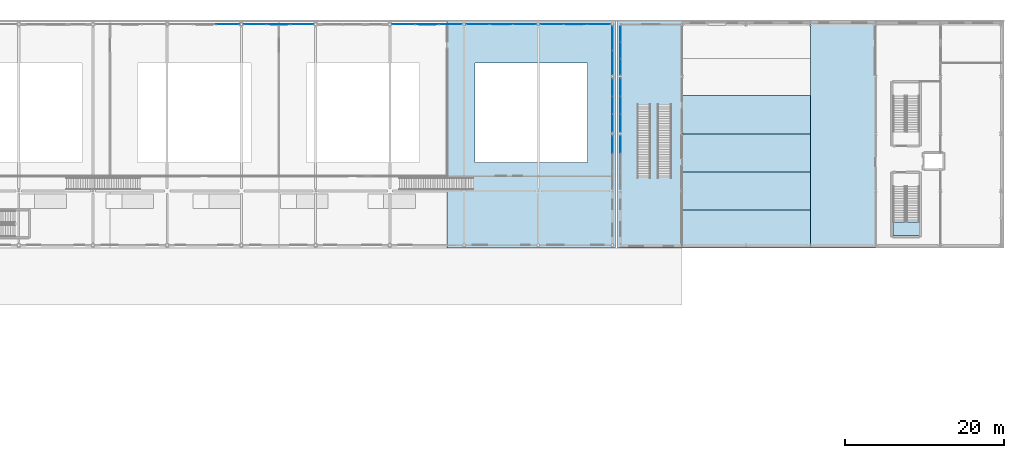
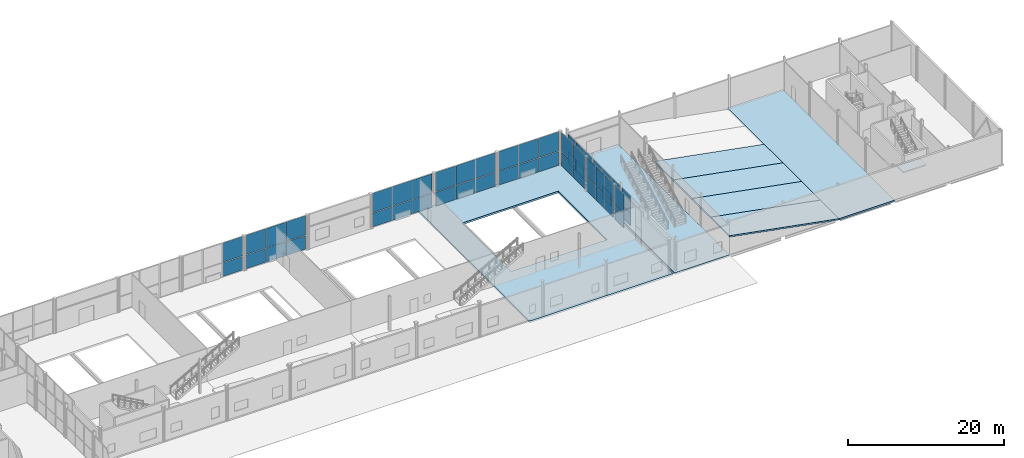
# One storey, part 58 of 83: 52 plates, 8 slabs, 12 elements without a shape of their own.
"""IFC4 building model written with IfcOpenShell, lengths in metres."""

import ifcopenshell
import ifcopenshell.guid

model = None  # the IFC model being written
_history = None  # IfcOwnerHistory: only IFC2X3 demands one
_inside = {}  # id of a spatial element -> (the spatial element, [elements in it])
_under = {}  # id of a project, library or spatial element -> (it, [spatial elements below it])
_declared = {}  # id of a project -> (the project, [libraries it declares])
_typed = {}  # id of a type object -> (the type object, [elements of that type])
_made_of = {}  # id of a material, layer set ... -> (it, [elements and type objects made of it])


def new_model(schema):
    """Start an empty IFC model of exactly this schema.

    Asked for "IFC4X3", IfcOpenShell would pick the latest addendum, in which some entities
    have other attributes; the version numbers below select the first issue.
    IFC2X3 requires an IfcOwnerHistory on every rooted entity: one is made here for all.
    """
    global model, _history
    if schema == "IFC4X3":
        model = ifcopenshell.file(schema_version=(4, 3, 0, 0))
    else:
        model = ifcopenshell.file(schema=schema)
    _inside.clear()
    _under.clear()
    _declared.clear()
    _typed.clear()
    _made_of.clear()
    _history = None
    if model.schema == "IFC2X3":
        org = make("IfcOrganization", Name="unknown")
        user = make(
            "IfcPersonAndOrganization",
            ThePerson=make("IfcPerson", FamilyName="unknown"),
            TheOrganization=org,
        )
        app = make(
            "IfcApplication",
            ApplicationDeveloper=org,
            Version="unknown",
            ApplicationFullName="unknown",
            ApplicationIdentifier="unknown",
        )
        _history = make(
            "IfcOwnerHistory",
            OwningUser=user,
            OwningApplication=app,
            ChangeAction="ADDED",
            CreationDate=0,
        )
    return model


def make(cls, **values):
    """One entity of the class cls with the attributes given. An attribute that is None is left unset."""
    return model.create_entity(
        cls, **{name: value for name, value in values.items() if value is not None}
    )


def rooted(cls, **values):
    """An entity with a GlobalId (a new one), such as an element, a storey or a relation."""
    return make(cls, GlobalId=ifcopenshell.guid.new(), OwnerHistory=_history, **values)


def si_unit(unit_type, name, prefix=None):
    """IfcSIUnit, for example si_unit("LENGTHUNIT", "METRE", prefix="MILLI")."""
    return make("IfcSIUnit", UnitType=unit_type, Prefix=prefix, Name=name)


def assignment(units):
    """IfcUnitAssignment: the units of a project."""
    return None if units is None else make("IfcUnitAssignment", Units=units)


def point(xyz):
    """IfcCartesianPoint."""
    return None if xyz is None else make("IfcCartesianPoint", Coordinates=xyz)


def direction(xyz):
    """IfcDirection."""
    return None if xyz is None else make("IfcDirection", DirectionRatios=xyz)


def frame(location, z_axis=None, x_axis=None):
    """IfcAxis2Placement3D, a coordinate frame: its origin and axes. An axis left out is left unset."""
    return make(
        "IfcAxis2Placement3D",
        Location=point(location),
        Axis=direction(z_axis),
        RefDirection=direction(x_axis),
    )


def frame_2d(location, x_axis=None):
    """IfcAxis2Placement2D, a coordinate frame in the plane: its origin and x axis."""
    return make(
        "IfcAxis2Placement2D", Location=point(location), RefDirection=direction(x_axis)
    )


def origin():
    """The frame at (0, 0, 0) with its axes left unset."""
    return frame((0.0, 0.0, 0.0))


def origin_2d():
    """The frame at (0, 0) in the plane with its x axis left unset."""
    return frame_2d((0.0, 0.0))


def place(relative_to, where):
    """IfcLocalPlacement: puts the frame where relative to a parent placement (None: the world)."""
    return make(
        "IfcLocalPlacement", PlacementRelTo=relative_to, RelativePlacement=where
    )


def context(
    kind, dimensions, precision=None, world=None, true_north=None, identifier=None
):
    """IfcGeometricRepresentationContext, for example the 3D "Model" context."""
    return make(
        "IfcGeometricRepresentationContext",
        ContextIdentifier=identifier,
        ContextType=kind,
        CoordinateSpaceDimension=dimensions,
        Precision=precision,
        WorldCoordinateSystem=world,
        TrueNorth=true_north,
    )


def subcontext(parent, identifier, kind, view, scale=None):
    """IfcGeometricRepresentationSubContext, for example "Body" below "Model"."""
    return make(
        "IfcGeometricRepresentationSubContext",
        ContextIdentifier=identifier,
        ContextType=kind,
        ParentContext=parent,
        TargetScale=scale,
        TargetView=view,
    )


def project(units=None, contexts=None):
    """IfcProject with its units and contexts."""
    return rooted(
        "IfcProject",
        Name="project",
        RepresentationContexts=contexts,
        UnitsInContext=assignment(units),
    )


def spatial(cls, under=None, at=None, **own):
    """A site, building, storey or space (cls), placed at a placement, below another one or the project."""
    s = rooted(cls, ObjectPlacement=at, **own)
    if under is not None:
        _under.setdefault(under.id(), (under, []))[1].append(s)
    return s


def polyline(points):
    """IfcPolyline through the points."""
    return make("IfcPolyline", Points=[point(p) for p in points])


def profile(cls, at=None, kind="AREA", **sizes):
    """A parametric profile (cls). Its sizes go by their IFC names, for example OverallWidth=200.0."""
    return make(cls, ProfileType=kind, Position=at, **sizes)


def rectangle(**sizes):
    """IfcRectangleProfileDef."""
    return profile("IfcRectangleProfileDef", **sizes)


def outline(outer, holes=None, kind="AREA"):
    """IfcArbitraryClosedProfileDef: a profile drawn as a closed curve; with holes, ...WithVoids."""
    if holes is None:
        return make("IfcArbitraryClosedProfileDef", ProfileType=kind, OuterCurve=outer)
    return make(
        "IfcArbitraryProfileDefWithVoids",
        ProfileType=kind,
        OuterCurve=outer,
        InnerCurves=holes,
    )


def extrude(swept, where, along, depth):
    """IfcExtrudedAreaSolid: the profile swept, set in the frame where, extruded along a direction by depth."""
    return make(
        "IfcExtrudedAreaSolid",
        SweptArea=swept,
        Position=where,
        ExtrudedDirection=direction(along),
        Depth=depth,
    )


def shape(context_of_items, identifier, shape_type, items):
    """IfcShapeRepresentation: the items that make up one representation, for example the "Body"."""
    return make(
        "IfcShapeRepresentation",
        ContextOfItems=context_of_items,
        RepresentationIdentifier=identifier,
        RepresentationType=shape_type,
        Items=items,
    )


def material(Name=None, Category=None):
    """IfcMaterial."""
    return make("IfcMaterial", Name=Name, Category=Category)


def layer(
    of_material, thickness, ventilated=None, Name=None, Category=None, Priority=None
):
    """IfcMaterialLayer: one layer of a wall or slab, of a material (None: an air gap)."""
    return make(
        "IfcMaterialLayer",
        Material=of_material,
        LayerThickness=thickness,
        IsVentilated=ventilated,
        Name=Name,
        Category=Category,
        Priority=Priority,
    )


def layer_set(layers, Name=None):
    """IfcMaterialLayerSet."""
    return make("IfcMaterialLayerSet", MaterialLayers=layers, LayerSetName=Name)


def made_of(thing, what):
    """Note that an element or type object is made of a material, layer set ...; save() writes the relation."""
    if what is not None:
        _made_of.setdefault(what.id(), (what, []))[1].append(thing)
    return thing


def type_object(cls, material=None, **own):
    """A type object (cls), such as IfcWallType, which elements share."""
    return made_of(rooted(cls, **own), material)


def element(
    cls,
    number,
    at=None,
    inside=None,
    cuts=None,
    type_object=None,
    material=None,
    context=None,
    identifier="Body",
    shape_type=None,
    held_by="IfcProductDefinitionShape",
    body=None,
    shapes=None,
    **own,
):
    """One element of the class cls, such as IfcWall. Its Tag is "e" and its number.

    at: its placement. inside: the storey or other place that contains it. cuts: it is an
    opening in that element (IfcRelVoidsElement). A single representation is given by context,
    identifier, shape_type and body (its items); several are given by shapes. held_by: the class
    of the entity that holds the representations. save() writes the other relations.
    """
    e = rooted(cls, Tag="e%d" % number, ObjectPlacement=at, **own)
    if body is not None:
        shapes = [shape(context, identifier, shape_type, body)]
    if shapes is not None:
        e.Representation = make(held_by, Representations=shapes)
    if inside is not None:
        _inside.setdefault(inside.id(), (inside, []))[1].append(e)
    if cuts is not None:
        rooted(
            "IfcRelVoidsElement", RelatingBuildingElement=cuts, RelatedOpeningElement=e
        )
    if type_object is not None:
        _typed.setdefault(type_object.id(), (type_object, []))[1].append(e)
    return made_of(e, material)


def aggregate(whole, parts):
    """IfcRelAggregates: a whole, such as a stair, and the parts it consists of."""
    return rooted("IfcRelAggregates", RelatingObject=whole, RelatedObjects=parts)


def save(model, path):
    """Write the relations noted so far, then the file.

    IfcRelAggregates (storeys below a building ...), IfcRelContainedInSpatialStructure (elements
    in a storey), IfcRelDefinesByType, IfcRelAssociatesMaterial and IfcRelDeclares: one each for
    every whole, place, type object, material and project.
    """
    for whole, parts in _under.values():
        aggregate(whole, parts)
    for where, things in _inside.values():
        rooted(
            "IfcRelContainedInSpatialStructure",
            RelatedElements=things,
            RelatingStructure=where,
        )
    for kind, things in _typed.values():
        rooted("IfcRelDefinesByType", RelatedObjects=things, RelatingType=kind)
    for what, things in _made_of.values():
        rooted("IfcRelAssociatesMaterial", RelatedObjects=things, RelatingMaterial=what)
    for by, libraries in _declared.values():
        rooted("IfcRelDeclares", RelatingContext=by, RelatedDefinitions=libraries)
    model.write(path)


model = new_model("IFC4")

# Units and contexts
model_context = context("Model", 3, precision=1e-05, world=origin(), true_north=direction((0.0, 1.0)))
body_context = subcontext(model_context, "Body", "Model", "MODEL_VIEW")
ifc_project = project(units=[si_unit("LENGTHUNIT", "METRE"), si_unit("AREAUNIT", "SQUARE_METRE"), si_unit("VOLUMEUNIT", "CUBIC_METRE"), si_unit("PLANEANGLEUNIT", "RADIAN"), si_unit("MASSUNIT", "GRAM", prefix="KILO")], contexts=[model_context])

# Site, building, storey
site_placement = place(None, origin())
site = spatial("IfcSite", under=ifc_project, at=site_placement, CompositionType="ELEMENT")
building_placement = place(site_placement, origin())
building = spatial("IfcBuilding", under=site, at=building_placement, Name="Quillay Park Conservatory", CompositionType="ELEMENT")
storey_placement = place(building_placement, origin())
storey = spatial("IfcBuildingStorey", under=building, at=storey_placement, Name="L00", CompositionType="ELEMENT", Elevation=0.0)

# Slabs
ifc_material_1 = material(Name="Concrete C35/45 (NCh170 Concrete C35/45)", Category="concrete")
ifc_layer_1 = layer(ifc_material_1, 0.219970703125)
ifc_layer_set_1 = layer_set([ifc_layer_1], Name="AUDITORIUM RAKED FLOOR 220 (Concrete C35/45 (NCh170 Concrete C35/45))")
slab_type_1 = type_object("IfcSlabType", Name="AUDITORIUM RAKED FLOOR 220", PredefinedType="USERDEFINED", material=ifc_layer_set_1)
for number, where, z_axis, x_axis, name in (
    (1, (123.60009765625, 85.199951171875, 3.0), (0.182089790818, 0.0, 0.983281906718), (0.983281906718, 0.0, -0.182089790818), "Auditorium Raked Floor Bay 1"),
    (2, (123.60009765625, 90.0, 3.0), (0.182089790818, 0.0, 0.983281906718), (0.983281906718, 0.0, -0.182089790818), "Auditorium Raked Floor Bay 2"),
    (3, (123.60009765625, 94.800048828125, 3.0), (0.182089790818, 0.0, 0.983281906718), (0.983281906718, 0.0, -0.182089790818), "Auditorium Raked Floor Bay 3"),
):
    element("IfcSlab", number, at=place(storey_placement, frame(where, z_axis=z_axis, x_axis=x_axis)), inside=storey, type_object=slab_type_1, Name=name, ObjectType="AUDITORIUM RAKED FLOOR", PredefinedType="USERDEFINED", context=body_context, shape_type="SweptSolid", body=[
        extrude(outline(polyline([(0.0, 0.0), (16.475388249480925, 0.0), (16.475388249480925, 4.800048828125), (0.0, 4.800048828125), (0.0, 0.0)])), origin(), (0.0, 0.0, -1.0), 0.219970703125),
    ])
slab_1_placement = place(storey_placement, frame((123.60009765625, 99.60009765625, 3.0), z_axis=(0.182089790818, 0.0, 0.983281906718), x_axis=(0.983281906718, 0.0, -0.182089790818)))
element("IfcSlab", 4, at=slab_1_placement, inside=storey, type_object=slab_type_1, Name="Auditorium Raked Floor Bay 4", ObjectType="AUDITORIUM RAKED FLOOR", PredefinedType="USERDEFINED", context=body_context, shape_type="SweptSolid", body=[
    extrude(outline(polyline([(0.0, 0.0), (16.475388249480925, 0.0), (16.475388249480925, 4.7998046875), (0.0, 4.7998046875), (0.0, 0.0)])), origin(), (0.0, 0.0, -1.0), 0.219970703125),
])

# Curtain wall, plates
ifc_material_2 = material(Name="Thermally Broken Anodised Aluminium 6063-T6", Category="aluminium")
ifc_layer_2 = layer(ifc_material_2, 0.1650390625)
ifc_layer_set_2 = layer_set([ifc_layer_2], Name="UNITISED CURTAIN WALL PODIUM (Thermally Broken Anodised Aluminium 6063-T6)")
curtain_wall_type_1 = type_object("IfcCurtainWallType", Name="UNITISED CURTAIN WALL PODIUM", PredefinedType="USERDEFINED", material=ifc_layer_set_2)
curtain_wall_1_placement = place(storey_placement, origin())
curtain_wall_1 = element("IfcCurtainWall", 5, at=curtain_wall_1_placement, inside=storey, type_object=curtain_wall_type_1, Name="L00 Unitised Curtain Wall 223", ObjectType="UNITISED CURTAIN WALL", PredefinedType="USERDEFINED")
ifc_material_3 = material(Name="Low-E Double Glazing (Laminated Tempered)", Category="glass")
ifc_layer_3 = layer(ifc_material_3, 0.028076171875)
ifc_layer_set_3 = layer_set([ifc_layer_3], Name="CURTAIN WALL GLAZED PANEL 28 (Low-E Double Glazing (Laminated Tempered))")
plate_type_1 = type_object("IfcPlateType", Name="CURTAIN WALL GLAZED PANEL 28", PredefinedType="CURTAIN_PANEL", material=ifc_layer_set_3)
plate_1_placement = place(storey_placement, frame((115.85009765625, 98.27587890625, 0.06982421875), z_axis=(0.0, 0.0, 1.0), x_axis=(0.0, 1.0, 0.0)))
plate_1 = element("IfcPlate", 6, at=plate_1_placement, type_object=plate_type_1, Name="CW-P1 panel 3.1", PredefinedType="CURTAIN_PANEL", context=body_context, shape_type="SweptSolid", body=[
    extrude(rectangle(XDim=2.188232421875, YDim=0.028076171875, at=origin_2d()), origin(), (0.0, 0.0, 1.0), 1.881103515625),
])
plate_2_placement = place(storey_placement, frame((115.85009765625, 98.27587890625, 2.021240234375), z_axis=(0.0, 0.0, 1.0), x_axis=(0.0, 1.0, 0.0)))
plate_2 = element("IfcPlate", 7, at=plate_2_placement, type_object=plate_type_1, Name="CW-P1 panel 3.2", PredefinedType="CURTAIN_PANEL", context=body_context, shape_type="SweptSolid", body=[
    extrude(rectangle(XDim=2.188232421875, YDim=0.028076171875, at=origin_2d()), origin(), (0.0, 0.0, 1.0), 2.6376953125),
])
aggregate(curtain_wall_1, [plate_1, plate_2])

curtain_wall_2_placement = place(storey_placement, origin())
curtain_wall_2 = element("IfcCurtainWall", 8, at=curtain_wall_2_placement, inside=storey, type_object=curtain_wall_type_1, Name="L00 Unitised Curtain Wall 225", ObjectType="UNITISED CURTAIN WALL", PredefinedType="USERDEFINED")
plate_3_placement = place(storey_placement, frame((115.85009765625, 100.924072265625, 0.06982421875), z_axis=(0.0, 0.0, 1.0), x_axis=(0.0, 1.0, 0.0)))
plate_3 = element("IfcPlate", 9, at=plate_3_placement, type_object=plate_type_1, Name="CW-P1 panel 1.1", PredefinedType="CURTAIN_PANEL", context=body_context, shape_type="SweptSolid", body=[
    extrude(rectangle(XDim=2.188232421875, YDim=0.028076171875, at=origin_2d()), origin(), (0.0, 0.0, 1.0), 1.881103515625),
])
plate_4_placement = place(storey_placement, frame((115.85009765625, 100.924072265625, 2.021240234375), z_axis=(0.0, 0.0, 1.0), x_axis=(0.0, 1.0, 0.0)))
plate_4 = element("IfcPlate", 10, at=plate_4_placement, type_object=plate_type_1, Name="CW-P1 panel 1.2", PredefinedType="CURTAIN_PANEL", context=body_context, shape_type="SweptSolid", body=[
    extrude(rectangle(XDim=2.188232421875, YDim=0.028076171875, at=origin_2d()), origin(), (0.0, 0.0, 1.0), 2.6376953125),
])
plate_5_placement = place(storey_placement, frame((115.85009765625, 103.199951171875, 0.06982421875), z_axis=(0.0, 0.0, 1.0), x_axis=(0.0, 1.0, 0.0)))
plate_5 = element("IfcPlate", 11, at=plate_5_placement, type_object=plate_type_1, Name="CW-P1 panel 2.1", PredefinedType="CURTAIN_PANEL", context=body_context, shape_type="SweptSolid", body=[
    extrude(rectangle(XDim=2.223388671875, YDim=0.028076171875, at=origin_2d()), origin(), (0.0, 0.0, 1.0), 1.881103515625),
])
plate_6_placement = place(storey_placement, frame((115.85009765625, 103.199951171875, 2.021240234375), z_axis=(0.0, 0.0, 1.0), x_axis=(0.0, 1.0, 0.0)))
plate_6 = element("IfcPlate", 12, at=plate_6_placement, type_object=plate_type_1, Name="CW-P1 panel 2.2", PredefinedType="CURTAIN_PANEL", context=body_context, shape_type="SweptSolid", body=[
    extrude(rectangle(XDim=2.223388671875, YDim=0.028076171875, at=origin_2d()), origin(), (0.0, 0.0, 1.0), 2.6376953125),
])
plate_7_placement = place(storey_placement, frame((115.85009765625, 105.475830078125, 0.06982421875), z_axis=(0.0, 0.0, 1.0), x_axis=(0.0, 1.0, 0.0)))
plate_7 = element("IfcPlate", 13, at=plate_7_placement, type_object=plate_type_1, Name="CW-P1 panel 3.1", PredefinedType="CURTAIN_PANEL", context=body_context, shape_type="SweptSolid", body=[
    extrude(rectangle(XDim=2.188232421875, YDim=0.028076171875, at=origin_2d()), origin(), (0.0, 0.0, 1.0), 1.881103515625),
])
plate_8_placement = place(storey_placement, frame((115.85009765625, 105.475830078125, 2.021240234375), z_axis=(0.0, 0.0, 1.0), x_axis=(0.0, 1.0, 0.0)))
plate_8 = element("IfcPlate", 14, at=plate_8_placement, type_object=plate_type_1, Name="CW-P1 panel 3.2", PredefinedType="CURTAIN_PANEL", context=body_context, shape_type="SweptSolid", body=[
    extrude(rectangle(XDim=2.188232421875, YDim=0.028076171875, at=origin_2d()), origin(), (0.0, 0.0, 1.0), 2.6376953125),
])
aggregate(curtain_wall_2, [plate_3, plate_4, plate_5, plate_6, plate_7, plate_8])

curtain_wall_3_placement = place(storey_placement, origin())
curtain_wall_3 = element("IfcCurtainWall", 15, at=curtain_wall_3_placement, inside=storey, type_object=curtain_wall_type_1, Name="L00 Unitised Curtain Wall 227", ObjectType="UNITISED CURTAIN WALL", PredefinedType="USERDEFINED")
plate_9_placement = place(storey_placement, frame((115.85009765625, 108.024169921875, 0.06982421875), z_axis=(0.0, 0.0, 1.0), x_axis=(0.0, 1.0, 0.0)))
plate_9 = element("IfcPlate", 16, at=plate_9_placement, type_object=plate_type_1, Name="CW-P1 panel 1.1", PredefinedType="CURTAIN_PANEL", context=body_context, shape_type="SweptSolid", body=[
    extrude(rectangle(XDim=1.98828125, YDim=0.028076171875, at=origin_2d()), origin(), (0.0, 0.0, 1.0), 1.881103515625),
])
plate_10_placement = place(storey_placement, frame((115.85009765625, 108.024169921875, 2.021240234375), z_axis=(0.0, 0.0, 1.0), x_axis=(0.0, 1.0, 0.0)))
plate_10 = element("IfcPlate", 17, at=plate_10_placement, type_object=plate_type_1, Name="CW-P1 panel 1.2", PredefinedType="CURTAIN_PANEL", context=body_context, shape_type="SweptSolid", body=[
    extrude(rectangle(XDim=1.98828125, YDim=0.028076171875, at=origin_2d()), origin(), (0.0, 0.0, 1.0), 2.6376953125),
])
plate_11_placement = place(storey_placement, frame((115.85009765625, 110.10009765625, 0.06982421875), z_axis=(0.0, 0.0, 1.0), x_axis=(0.0, 1.0, 0.0)))
plate_11 = element("IfcPlate", 18, at=plate_11_placement, type_object=plate_type_1, Name="CW-P1 panel 2.1", PredefinedType="CURTAIN_PANEL", context=body_context, shape_type="SweptSolid", body=[
    extrude(rectangle(XDim=2.0234375, YDim=0.028076171875, at=origin_2d()), origin(), (0.0, 0.0, 1.0), 1.881103515625),
])
plate_12_placement = place(storey_placement, frame((115.85009765625, 110.10009765625, 2.021240234375), z_axis=(0.0, 0.0, 1.0), x_axis=(0.0, 1.0, 0.0)))
plate_12 = element("IfcPlate", 19, at=plate_12_placement, type_object=plate_type_1, Name="CW-P1 panel 2.2", PredefinedType="CURTAIN_PANEL", context=body_context, shape_type="SweptSolid", body=[
    extrude(rectangle(XDim=2.0234375, YDim=0.028076171875, at=origin_2d()), origin(), (0.0, 0.0, 1.0), 2.6376953125),
])
plate_13_placement = place(storey_placement, frame((115.85009765625, 112.17578125, 0.06982421875), z_axis=(0.0, 0.0, 1.0), x_axis=(0.0, 1.0, 0.0)))
plate_13 = element("IfcPlate", 20, at=plate_13_placement, type_object=plate_type_1, Name="CW-P1 panel 3.1", PredefinedType="CURTAIN_PANEL", context=body_context, shape_type="SweptSolid", body=[
    extrude(rectangle(XDim=1.98828125, YDim=0.028076171875, at=origin_2d()), origin(), (0.0, 0.0, 1.0), 1.881103515625),
])
plate_14_placement = place(storey_placement, frame((115.85009765625, 112.17578125, 2.021240234375), z_axis=(0.0, 0.0, 1.0), x_axis=(0.0, 1.0, 0.0)))
plate_14 = element("IfcPlate", 21, at=plate_14_placement, type_object=plate_type_1, Name="CW-P1 panel 3.2", PredefinedType="CURTAIN_PANEL", context=body_context, shape_type="SweptSolid", body=[
    extrude(rectangle(XDim=1.98828125, YDim=0.028076171875, at=origin_2d()), origin(), (0.0, 0.0, 1.0), 2.6376953125),
])
aggregate(curtain_wall_3, [plate_9, plate_10, plate_11, plate_12, plate_13, plate_14])

ifc_material_4 = material(Name="Thermally Broken Anodised Aluminium 6063-T6", Category="aluminium")
ifc_layer_4 = layer(ifc_material_4, 0.219970703125)
ifc_layer_set_4 = layer_set([ifc_layer_4], Name="UNITISED CURTAIN WALL CONSERVATORY (Thermally Broken Anodised Aluminium 6063-T6)")
curtain_wall_type_2 = type_object("IfcCurtainWallType", Name="UNITISED CURTAIN WALL CONSERVATORY", PredefinedType="USERDEFINED", material=ifc_layer_set_4)
curtain_wall_4_placement = place(storey_placement, origin())
curtain_wall_4 = element("IfcCurtainWall", 22, at=curtain_wall_4_placement, inside=storey, type_object=curtain_wall_type_2, Name="L00 Unitised Curtain Wall 152", ObjectType="UNITISED CURTAIN WALL", PredefinedType="USERDEFINED")
ifc_material_5 = material(Name="Low-Iron Laminated Insulated Glazing", Category="glass")
ifc_layer_5 = layer(ifc_material_5, 0.031982421875)
ifc_layer_set_5 = layer_set([ifc_layer_5], Name="CURTAIN WALL GLAZED PANEL 32 (Low-Iron Laminated Insulated Glazing)")
plate_type_2 = type_object("IfcPlateType", Name="CURTAIN WALL GLAZED PANEL 32", PredefinedType="CURTAIN_PANEL", material=ifc_layer_set_5)
plate_15_placement = place(storey_placement, frame((66.36083984375, 113.39990234375, 0.070068359375), z_axis=(0.0, 0.0, 1.0), x_axis=(1.0, 0.0, 0.0)))
plate_15 = element("IfcPlate", 23, at=plate_15_placement, type_object=plate_type_2, Name="CW-C1 panel 3.1", PredefinedType="CURTAIN_PANEL", context=body_context, shape_type="SweptSolid", body=[
    extrude(rectangle(XDim=2.87890625, YDim=0.031982421875, at=origin_2d()), origin(), (0.0, 0.0, 1.0), 2.1630859375),
])
plate_16_placement = place(storey_placement, frame((66.36083984375, 113.39990234375, 2.302734375), z_axis=(0.0, 0.0, 1.0), x_axis=(1.0, 0.0, 0.0)))
plate_16 = element("IfcPlate", 24, at=plate_16_placement, type_object=plate_type_2, Name="CW-C1 panel 3.2", PredefinedType="CURTAIN_PANEL", context=body_context, shape_type="SweptSolid", body=[
    extrude(rectangle(XDim=2.87890625, YDim=0.031982421875, at=origin_2d()), origin(), (0.0, 0.0, 1.0), 3.027099609375),
])
aggregate(curtain_wall_4, [plate_15, plate_16])

curtain_wall_5_placement = place(storey_placement, origin())
curtain_wall_5 = element("IfcCurtainWall", 25, at=curtain_wall_5_placement, inside=storey, type_object=curtain_wall_type_2, Name="L00 Unitised Curtain Wall 154", ObjectType="UNITISED CURTAIN WALL", PredefinedType="USERDEFINED")
plate_17_placement = place(storey_placement, frame((69.78369140625, 113.39990234375, 0.070068359375), z_axis=(0.0, 0.0, 1.0), x_axis=(1.0, 0.0, 0.0)))
plate_17 = element("IfcPlate", 26, at=plate_17_placement, type_object=plate_type_2, Name="CW-C1 panel 1.1", PredefinedType="CURTAIN_PANEL", context=body_context, shape_type="SweptSolid", body=[
    extrude(rectangle(XDim=2.87890625, YDim=0.031982421875, at=origin_2d()), origin(), (0.0, 0.0, 1.0), 2.1630859375),
])
plate_18_placement = place(storey_placement, frame((69.78369140625, 113.39990234375, 2.302734375), z_axis=(0.0, 0.0, 1.0), x_axis=(1.0, 0.0, 0.0)))
plate_18 = element("IfcPlate", 27, at=plate_18_placement, type_object=plate_type_2, Name="CW-C1 panel 1.2", PredefinedType="CURTAIN_PANEL", context=body_context, shape_type="SweptSolid", body=[
    extrude(rectangle(XDim=2.87890625, YDim=0.031982421875, at=origin_2d()), origin(), (0.0, 0.0, 1.0), 3.027099609375),
])
plate_19_placement = place(storey_placement, frame((72.75, 113.39990234375, 0.070068359375), z_axis=(0.0, 0.0, 1.0), x_axis=(1.0, 0.0, 0.0)))
plate_19 = element("IfcPlate", 28, at=plate_19_placement, type_object=plate_type_2, Name="CW-C1 panel 2.1", PredefinedType="CURTAIN_PANEL", context=body_context, shape_type="SweptSolid", body=[
    extrude(rectangle(XDim=2.913818359375, YDim=0.031982421875, at=origin_2d()), origin(), (0.0, 0.0, 1.0), 2.1630859375),
])
plate_20_placement = place(storey_placement, frame((72.75, 113.39990234375, 2.302734375), z_axis=(0.0, 0.0, 1.0), x_axis=(1.0, 0.0, 0.0)))
plate_20 = element("IfcPlate", 29, at=plate_20_placement, type_object=plate_type_2, Name="CW-C1 panel 2.2", PredefinedType="CURTAIN_PANEL", context=body_context, shape_type="SweptSolid", body=[
    extrude(rectangle(XDim=2.913818359375, YDim=0.031982421875, at=origin_2d()), origin(), (0.0, 0.0, 1.0), 3.027099609375),
])
plate_21_placement = place(storey_placement, frame((75.71630859375, 113.39990234375, 0.070068359375), z_axis=(0.0, 0.0, 1.0), x_axis=(1.0, 0.0, 0.0)))
plate_21 = element("IfcPlate", 30, at=plate_21_placement, type_object=plate_type_2, Name="CW-C1 panel 3.1", PredefinedType="CURTAIN_PANEL", context=body_context, shape_type="SweptSolid", body=[
    extrude(rectangle(XDim=2.87890625, YDim=0.031982421875, at=origin_2d()), origin(), (0.0, 0.0, 1.0), 2.1630859375),
])
plate_22_placement = place(storey_placement, frame((75.71630859375, 113.39990234375, 2.302734375), z_axis=(0.0, 0.0, 1.0), x_axis=(1.0, 0.0, 0.0)))
plate_22 = element("IfcPlate", 31, at=plate_22_placement, type_object=plate_type_2, Name="CW-C1 panel 3.2", PredefinedType="CURTAIN_PANEL", context=body_context, shape_type="SweptSolid", body=[
    extrude(rectangle(XDim=2.87890625, YDim=0.031982421875, at=origin_2d()), origin(), (0.0, 0.0, 1.0), 3.027099609375),
])
aggregate(curtain_wall_5, [plate_17, plate_18, plate_19, plate_20, plate_21, plate_22])

curtain_wall_6_placement = place(storey_placement, origin())
curtain_wall_6 = element("IfcCurtainWall", 32, at=curtain_wall_6_placement, inside=storey, type_object=curtain_wall_type_2, Name="L00 Unitised Curtain Wall 157", ObjectType="UNITISED CURTAIN WALL", PredefinedType="USERDEFINED")
plate_23_placement = place(storey_placement, frame((88.49462890625, 113.39990234375, 0.070068359375), z_axis=(0.0, 0.0, 1.0), x_axis=(1.0, 0.0, 0.0)))
plate_23 = element("IfcPlate", 33, at=plate_23_placement, type_object=plate_type_2, Name="CW-C1 panel 1.1", PredefinedType="CURTAIN_PANEL", context=body_context, shape_type="SweptSolid", body=[
    extrude(rectangle(XDim=2.87890625, YDim=0.031982421875, at=origin_2d()), origin(), (0.0, 0.0, 1.0), 2.1630859375),
])
plate_24_placement = place(storey_placement, frame((88.49462890625, 113.39990234375, 2.302734375), z_axis=(0.0, 0.0, 1.0), x_axis=(1.0, 0.0, 0.0)))
plate_24 = element("IfcPlate", 34, at=plate_24_placement, type_object=plate_type_2, Name="CW-C1 panel 1.2", PredefinedType="CURTAIN_PANEL", context=body_context, shape_type="SweptSolid", body=[
    extrude(rectangle(XDim=2.87890625, YDim=0.031982421875, at=origin_2d()), origin(), (0.0, 0.0, 1.0), 3.027099609375),
])
plate_25_placement = place(storey_placement, frame((91.461181640625, 113.39990234375, 0.070068359375), z_axis=(0.0, 0.0, 1.0), x_axis=(1.0, 0.0, 0.0)))
plate_25 = element("IfcPlate", 35, at=plate_25_placement, type_object=plate_type_2, Name="CW-C1 panel 2.1", PredefinedType="CURTAIN_PANEL", context=body_context, shape_type="SweptSolid", body=[
    extrude(rectangle(XDim=2.913818359375, YDim=0.031982421875, at=origin_2d()), origin(), (0.0, 0.0, 1.0), 2.1630859375),
])
plate_26_placement = place(storey_placement, frame((91.461181640625, 113.39990234375, 2.302734375), z_axis=(0.0, 0.0, 1.0), x_axis=(1.0, 0.0, 0.0)))
plate_26 = element("IfcPlate", 36, at=plate_26_placement, type_object=plate_type_2, Name="CW-C1 panel 2.2", PredefinedType="CURTAIN_PANEL", context=body_context, shape_type="SweptSolid", body=[
    extrude(rectangle(XDim=2.913818359375, YDim=0.031982421875, at=origin_2d()), origin(), (0.0, 0.0, 1.0), 3.027099609375),
])
plate_27_placement = place(storey_placement, frame((94.427490234375, 113.39990234375, 0.070068359375), z_axis=(0.0, 0.0, 1.0), x_axis=(1.0, 0.0, 0.0)))
plate_27 = element("IfcPlate", 37, at=plate_27_placement, type_object=plate_type_2, Name="CW-C1 panel 3.1", PredefinedType="CURTAIN_PANEL", context=body_context, shape_type="SweptSolid", body=[
    extrude(rectangle(XDim=2.87890625, YDim=0.031982421875, at=origin_2d()), origin(), (0.0, 0.0, 1.0), 2.1630859375),
])
plate_28_placement = place(storey_placement, frame((94.427490234375, 113.39990234375, 2.302734375), z_axis=(0.0, 0.0, 1.0), x_axis=(1.0, 0.0, 0.0)))
plate_28 = element("IfcPlate", 38, at=plate_28_placement, type_object=plate_type_2, Name="CW-C1 panel 3.2", PredefinedType="CURTAIN_PANEL", context=body_context, shape_type="SweptSolid", body=[
    extrude(rectangle(XDim=2.87890625, YDim=0.031982421875, at=origin_2d()), origin(), (0.0, 0.0, 1.0), 3.027099609375),
])
aggregate(curtain_wall_6, [plate_23, plate_24, plate_25, plate_26, plate_27, plate_28])

curtain_wall_7_placement = place(storey_placement, origin())
curtain_wall_7 = element("IfcCurtainWall", 39, at=curtain_wall_7_placement, inside=storey, type_object=curtain_wall_type_2, Name="L00 Unitised Curtain Wall 159", ObjectType="UNITISED CURTAIN WALL", PredefinedType="USERDEFINED")
plate_29_placement = place(storey_placement, frame((97.850341796875, 113.39990234375, 0.070068359375), z_axis=(0.0, 0.0, 1.0), x_axis=(1.0, 0.0, 0.0)))
plate_29 = element("IfcPlate", 40, at=plate_29_placement, type_object=plate_type_2, Name="CW-C1 panel 1.1", PredefinedType="CURTAIN_PANEL", context=body_context, shape_type="SweptSolid", body=[
    extrude(rectangle(XDim=2.87890625, YDim=0.031982421875, at=origin_2d()), origin(), (0.0, 0.0, 1.0), 2.1630859375),
])
plate_30_placement = place(storey_placement, frame((97.850341796875, 113.39990234375, 2.302734375), z_axis=(0.0, 0.0, 1.0), x_axis=(1.0, 0.0, 0.0)))
plate_30 = element("IfcPlate", 41, at=plate_30_placement, type_object=plate_type_2, Name="CW-C1 panel 1.2", PredefinedType="CURTAIN_PANEL", context=body_context, shape_type="SweptSolid", body=[
    extrude(rectangle(XDim=2.87890625, YDim=0.031982421875, at=origin_2d()), origin(), (0.0, 0.0, 1.0), 3.027099609375),
])
plate_31_placement = place(storey_placement, frame((100.816650390625, 113.39990234375, 0.070068359375), z_axis=(0.0, 0.0, 1.0), x_axis=(1.0, 0.0, 0.0)))
plate_31 = element("IfcPlate", 42, at=plate_31_placement, type_object=plate_type_2, Name="CW-C1 panel 2.1", PredefinedType="CURTAIN_PANEL", context=body_context, shape_type="SweptSolid", body=[
    extrude(rectangle(XDim=2.913818359375, YDim=0.031982421875, at=origin_2d()), origin(), (0.0, 0.0, 1.0), 2.1630859375),
])
plate_32_placement = place(storey_placement, frame((100.816650390625, 113.39990234375, 2.302734375), z_axis=(0.0, 0.0, 1.0), x_axis=(1.0, 0.0, 0.0)))
plate_32 = element("IfcPlate", 43, at=plate_32_placement, type_object=plate_type_2, Name="CW-C1 panel 2.2", PredefinedType="CURTAIN_PANEL", context=body_context, shape_type="SweptSolid", body=[
    extrude(rectangle(XDim=2.913818359375, YDim=0.031982421875, at=origin_2d()), origin(), (0.0, 0.0, 1.0), 3.027099609375),
])
plate_33_placement = place(storey_placement, frame((103.782958984375, 113.39990234375, 0.070068359375), z_axis=(0.0, 0.0, 1.0), x_axis=(1.0, 0.0, 0.0)))
plate_33 = element("IfcPlate", 44, at=plate_33_placement, type_object=plate_type_2, Name="CW-C1 panel 3.1", PredefinedType="CURTAIN_PANEL", context=body_context, shape_type="SweptSolid", body=[
    extrude(rectangle(XDim=2.87890625, YDim=0.031982421875, at=origin_2d()), origin(), (0.0, 0.0, 1.0), 2.1630859375),
])
plate_34_placement = place(storey_placement, frame((103.782958984375, 113.39990234375, 2.302734375), z_axis=(0.0, 0.0, 1.0), x_axis=(1.0, 0.0, 0.0)))
plate_34 = element("IfcPlate", 45, at=plate_34_placement, type_object=plate_type_2, Name="CW-C1 panel 3.2", PredefinedType="CURTAIN_PANEL", context=body_context, shape_type="SweptSolid", body=[
    extrude(rectangle(XDim=2.87890625, YDim=0.031982421875, at=origin_2d()), origin(), (0.0, 0.0, 1.0), 3.027099609375),
])
aggregate(curtain_wall_7, [plate_29, plate_30, plate_31, plate_32, plate_33, plate_34])

curtain_wall_8_placement = place(storey_placement, origin())
curtain_wall_8 = element("IfcCurtainWall", 46, at=curtain_wall_8_placement, inside=storey, type_object=curtain_wall_type_2, Name="L00 Unitised Curtain Wall 161", ObjectType="UNITISED CURTAIN WALL", PredefinedType="USERDEFINED")
plate_35_placement = place(storey_placement, frame((107.205810546875, 113.39990234375, 0.070068359375), z_axis=(0.0, 0.0, 1.0), x_axis=(1.0, 0.0, 0.0)))
plate_35 = element("IfcPlate", 47, at=plate_35_placement, type_object=plate_type_2, Name="CW-C1 panel 1.1", PredefinedType="CURTAIN_PANEL", context=body_context, shape_type="SweptSolid", body=[
    extrude(rectangle(XDim=2.87890625, YDim=0.031982421875, at=origin_2d()), origin(), (0.0, 0.0, 1.0), 2.1630859375),
])
plate_36_placement = place(storey_placement, frame((107.205810546875, 113.39990234375, 2.302734375), z_axis=(0.0, 0.0, 1.0), x_axis=(1.0, 0.0, 0.0)))
plate_36 = element("IfcPlate", 48, at=plate_36_placement, type_object=plate_type_2, Name="CW-C1 panel 1.2", PredefinedType="CURTAIN_PANEL", context=body_context, shape_type="SweptSolid", body=[
    extrude(rectangle(XDim=2.87890625, YDim=0.031982421875, at=origin_2d()), origin(), (0.0, 0.0, 1.0), 3.027099609375),
])
plate_37_placement = place(storey_placement, frame((110.172119140625, 113.39990234375, 0.070068359375), z_axis=(0.0, 0.0, 1.0), x_axis=(1.0, 0.0, 0.0)))
plate_37 = element("IfcPlate", 49, at=plate_37_placement, type_object=plate_type_2, Name="CW-C1 panel 2.1", PredefinedType="CURTAIN_PANEL", context=body_context, shape_type="SweptSolid", body=[
    extrude(rectangle(XDim=2.913818359375, YDim=0.031982421875, at=origin_2d()), origin(), (0.0, 0.0, 1.0), 2.1630859375),
])
plate_38_placement = place(storey_placement, frame((110.172119140625, 113.39990234375, 2.302734375), z_axis=(0.0, 0.0, 1.0), x_axis=(1.0, 0.0, 0.0)))
plate_38 = element("IfcPlate", 50, at=plate_38_placement, type_object=plate_type_2, Name="CW-C1 panel 2.2", PredefinedType="CURTAIN_PANEL", context=body_context, shape_type="SweptSolid", body=[
    extrude(rectangle(XDim=2.913818359375, YDim=0.031982421875, at=origin_2d()), origin(), (0.0, 0.0, 1.0), 3.027099609375),
])
plate_39_placement = place(storey_placement, frame((113.138671875, 113.39990234375, 0.070068359375), z_axis=(0.0, 0.0, 1.0), x_axis=(1.0, 0.0, 0.0)))
plate_39 = element("IfcPlate", 51, at=plate_39_placement, type_object=plate_type_2, Name="CW-C1 panel 3.1", PredefinedType="CURTAIN_PANEL", context=body_context, shape_type="SweptSolid", body=[
    extrude(rectangle(XDim=2.87890625, YDim=0.031982421875, at=origin_2d()), origin(), (0.0, 0.0, 1.0), 2.1630859375),
])
plate_40_placement = place(storey_placement, frame((113.138671875, 113.39990234375, 2.302734375), z_axis=(0.0, 0.0, 1.0), x_axis=(1.0, 0.0, 0.0)))
plate_40 = element("IfcPlate", 52, at=plate_40_placement, type_object=plate_type_2, Name="CW-C1 panel 3.2", PredefinedType="CURTAIN_PANEL", context=body_context, shape_type="SweptSolid", body=[
    extrude(rectangle(XDim=2.87890625, YDim=0.031982421875, at=origin_2d()), origin(), (0.0, 0.0, 1.0), 3.027099609375),
])
aggregate(curtain_wall_8, [plate_35, plate_36, plate_37, plate_38, plate_39, plate_40])

curtain_wall_9_placement = place(storey_placement, origin())
curtain_wall_9 = element("IfcCurtainWall", 53, at=curtain_wall_9_placement, inside=storey, type_object=curtain_wall_type_2, Name="L00 Unitised Curtain Wall 165", ObjectType="UNITISED CURTAIN WALL", PredefinedType="USERDEFINED")
plate_41_placement = place(storey_placement, frame((114.85009765625, 98.247802734375, 0.070068359375), z_axis=(0.0, 0.0, 1.0), x_axis=(0.0, -1.0, 0.0)))
plate_41 = element("IfcPlate", 54, at=plate_41_placement, type_object=plate_type_2, Name="CW-C1 panel 1.1", PredefinedType="CURTAIN_PANEL", context=body_context, shape_type="SweptSolid", body=[
    extrude(rectangle(XDim=2.160400390625, YDim=0.031982421875, at=origin_2d()), origin(), (0.0, 0.0, 1.0), 2.1630859375),
])
plate_42_placement = place(storey_placement, frame((114.85009765625, 98.247802734375, 2.302734375), z_axis=(0.0, 0.0, 1.0), x_axis=(0.0, -1.0, 0.0)))
plate_42 = element("IfcPlate", 55, at=plate_42_placement, type_object=plate_type_2, Name="CW-C1 panel 1.2", PredefinedType="CURTAIN_PANEL", context=body_context, shape_type="SweptSolid", body=[
    extrude(rectangle(XDim=2.160400390625, YDim=0.031982421875, at=origin_2d()), origin(), (0.0, 0.0, 1.0), 3.027099609375),
])
aggregate(curtain_wall_9, [plate_41, plate_42])

curtain_wall_10_placement = place(storey_placement, origin())
curtain_wall_10 = element("IfcCurtainWall", 56, at=curtain_wall_10_placement, inside=storey, type_object=curtain_wall_type_2, Name="L00 Unitised Curtain Wall 169", ObjectType="UNITISED CURTAIN WALL", PredefinedType="USERDEFINED")
plate_43_placement = place(storey_placement, frame((114.85009765625, 105.44775390625, 0.070068359375), z_axis=(0.0, 0.0, 1.0), x_axis=(0.0, -1.0, 0.0)))
plate_43 = element("IfcPlate", 57, at=plate_43_placement, type_object=plate_type_2, Name="CW-C1 panel 1.1", PredefinedType="CURTAIN_PANEL", context=body_context, shape_type="SweptSolid", body=[
    extrude(rectangle(XDim=2.160400390625, YDim=0.031982421875, at=origin_2d()), origin(), (0.0, 0.0, 1.0), 2.1630859375),
])
plate_44_placement = place(storey_placement, frame((114.85009765625, 105.44775390625, 2.302734375), z_axis=(0.0, 0.0, 1.0), x_axis=(0.0, -1.0, 0.0)))
plate_44 = element("IfcPlate", 58, at=plate_44_placement, type_object=plate_type_2, Name="CW-C1 panel 1.2", PredefinedType="CURTAIN_PANEL", context=body_context, shape_type="SweptSolid", body=[
    extrude(rectangle(XDim=2.160400390625, YDim=0.031982421875, at=origin_2d()), origin(), (0.0, 0.0, 1.0), 3.027099609375),
])
plate_45_placement = place(storey_placement, frame((114.85009765625, 103.199951171875, 0.070068359375), z_axis=(0.0, 0.0, 1.0), x_axis=(0.0, -1.0, 0.0)))
plate_45 = element("IfcPlate", 59, at=plate_45_placement, type_object=plate_type_2, Name="CW-C1 panel 2.1", PredefinedType="CURTAIN_PANEL", context=body_context, shape_type="SweptSolid", body=[
    extrude(rectangle(XDim=2.1953125, YDim=0.031982421875, at=origin_2d()), origin(), (0.0, 0.0, 1.0), 2.1630859375),
])
plate_46_placement = place(storey_placement, frame((114.85009765625, 103.199951171875, 2.302734375), z_axis=(0.0, 0.0, 1.0), x_axis=(0.0, -1.0, 0.0)))
plate_46 = element("IfcPlate", 60, at=plate_46_placement, type_object=plate_type_2, Name="CW-C1 panel 2.2", PredefinedType="CURTAIN_PANEL", context=body_context, shape_type="SweptSolid", body=[
    extrude(rectangle(XDim=2.1953125, YDim=0.031982421875, at=origin_2d()), origin(), (0.0, 0.0, 1.0), 3.027099609375),
])
plate_47_placement = place(storey_placement, frame((114.85009765625, 100.9521484375, 0.070068359375), z_axis=(0.0, 0.0, 1.0), x_axis=(0.0, -1.0, 0.0)))
plate_47 = element("IfcPlate", 61, at=plate_47_placement, type_object=plate_type_2, Name="CW-C1 panel 3.1", PredefinedType="CURTAIN_PANEL", context=body_context, shape_type="SweptSolid", body=[
    extrude(rectangle(XDim=2.160400390625, YDim=0.031982421875, at=origin_2d()), origin(), (0.0, 0.0, 1.0), 2.1630859375),
])
plate_48_placement = place(storey_placement, frame((114.85009765625, 100.9521484375, 2.302734375), z_axis=(0.0, 0.0, 1.0), x_axis=(0.0, -1.0, 0.0)))
plate_48 = element("IfcPlate", 62, at=plate_48_placement, type_object=plate_type_2, Name="CW-C1 panel 3.2", PredefinedType="CURTAIN_PANEL", context=body_context, shape_type="SweptSolid", body=[
    extrude(rectangle(XDim=2.160400390625, YDim=0.031982421875, at=origin_2d()), origin(), (0.0, 0.0, 1.0), 3.027099609375),
])
aggregate(curtain_wall_10, [plate_43, plate_44, plate_45, plate_46, plate_47, plate_48])

curtain_wall_11_placement = place(storey_placement, origin())
curtain_wall_11 = element("IfcCurtainWall", 63, at=curtain_wall_11_placement, inside=storey, type_object=curtain_wall_type_2, Name="L00 Unitised Curtain Wall 173", ObjectType="UNITISED CURTAIN WALL", PredefinedType="USERDEFINED")
plate_49_placement = place(storey_placement, frame((114.85009765625, 111.631591796875, 0.070068359375), z_axis=(0.0, 0.0, 1.0), x_axis=(0.0, -1.0, 0.0)))
plate_49 = element("IfcPlate", 64, at=plate_49_placement, type_object=plate_type_2, Name="CW-C1 panel 1.1", PredefinedType="CURTAIN_PANEL", context=body_context, shape_type="SweptSolid", body=[
    extrude(rectangle(XDim=2.992919921875, YDim=0.031982421875, at=origin_2d()), origin(), (0.0, 0.0, 1.0), 2.1630859375),
])
plate_50_placement = place(storey_placement, frame((114.85009765625, 111.631591796875, 2.302734375), z_axis=(0.0, 0.0, 1.0), x_axis=(0.0, -1.0, 0.0)))
plate_50 = element("IfcPlate", 65, at=plate_50_placement, type_object=plate_type_2, Name="CW-C1 panel 1.2", PredefinedType="CURTAIN_PANEL", context=body_context, shape_type="SweptSolid", body=[
    extrude(rectangle(XDim=2.992919921875, YDim=0.031982421875, at=origin_2d()), origin(), (0.0, 0.0, 1.0), 3.027099609375),
])
plate_51_placement = place(storey_placement, frame((114.85009765625, 108.568603515625, 0.070068359375), z_axis=(0.0, 0.0, 1.0), x_axis=(0.0, -1.0, 0.0)))
plate_51 = element("IfcPlate", 66, at=plate_51_placement, type_object=plate_type_2, Name="CW-C1 panel 2.1", PredefinedType="CURTAIN_PANEL", context=body_context, shape_type="SweptSolid", body=[
    extrude(rectangle(XDim=2.992919921875, YDim=0.031982421875, at=origin_2d()), origin(), (0.0, 0.0, 1.0), 2.1630859375),
])
plate_52_placement = place(storey_placement, frame((114.85009765625, 108.568603515625, 2.302734375), z_axis=(0.0, 0.0, 1.0), x_axis=(0.0, -1.0, 0.0)))
plate_52 = element("IfcPlate", 67, at=plate_52_placement, type_object=plate_type_2, Name="CW-C1 panel 2.2", PredefinedType="CURTAIN_PANEL", context=body_context, shape_type="SweptSolid", body=[
    extrude(rectangle(XDim=2.992919921875, YDim=0.031982421875, at=origin_2d()), origin(), (0.0, 0.0, 1.0), 3.027099609375),
])
aggregate(curtain_wall_11, [plate_49, plate_50, plate_51, plate_52])

# Stair, slab
ifc_material_6 = material(Name="Concrete C35/45 (NCh170 Concrete C35/45)", Category="concrete")
stair_type = type_object("IfcStairType", Name="ENCLOSED DOG LEG STAIR 5400", PredefinedType="HALF_TURN_STAIR", material=ifc_material_6)
stair_placement = place(storey_placement, origin())
stair = element("IfcStair", 68, at=stair_placement, inside=storey, type_object=stair_type, Name="L00 Auditorium Exit Stair 1", PredefinedType="HALF_TURN_STAIR")
ifc_material_7 = material(Name="Concrete C35/45 (NCh170 Concrete C35/45)", Category="concrete")
ifc_layer_6 = layer(ifc_material_7, 0.199951171875)
ifc_layer_set_6 = layer_set([ifc_layer_6], Name="STAIR LANDING SLAB 200 (Concrete C35/45 (NCh170 Concrete C35/45))")
slab_type_2 = type_object("IfcSlabType", Name="STAIR LANDING SLAB 200", PredefinedType="LANDING", material=ifc_layer_set_6)
slab_2_placement = place(storey_placement, frame((0.0, 0.0, 2.5)))
slab_2 = element("IfcSlab", 69, at=slab_2_placement, type_object=slab_type_2, Name="ST-A1 landing 1", PredefinedType="LANDING", context=body_context, shape_type="SweptSolid", body=[
    extrude(outline(polyline([(150.199951171875, 88.449951171875), (150.199951171875, 86.75), (153.52001953125, 86.75), (153.52001953125, 88.449951171875), (150.199951171875, 88.449951171875)])), origin(), (0.0, 0.0, 1.0), 0.199951171875),
])
aggregate(stair, [slab_2])

# Slabs
ifc_material_8 = material(Name="Concrete C35/45 (NCh170 Concrete C35/45)", Category="concrete")
ifc_layer_7 = layer(ifc_material_8, 0.25)
ifc_layer_set_7 = layer_set([ifc_layer_7], Name="SUSPENDED FLOOR SLAB 250 (Concrete C35/45 (NCh170 Concrete C35/45))")
slab_type_3 = type_object("IfcSlabType", Name="SUSPENDED FLOOR SLAB 250", PredefinedType="FLOOR", material=ifc_layer_set_7)
slab_3_placement = place(storey_placement, frame((0.0, 0.0, -0.25)))
element("IfcSlab", 70, at=slab_3_placement, inside=storey, type_object=slab_type_3, Name="L00 Auditorium Acoustic Foyer Slab", PredefinedType="FLOOR", context=body_context, shape_type="SweptSolid", body=[
    extrude(outline(polyline([(115.5, 85.199951171875), (123.60009765625, 85.199951171875), (123.60009765625, 113.800048828125), (115.5, 113.800048828125), (115.5, 85.199951171875)])), origin(), (0.0, 0.0, 1.0), 0.25),
])
slab_4_placement = place(storey_placement, frame((0.0, 0.0, -0.25)))
element("IfcSlab", 71, at=slab_4_placement, inside=storey, type_object=slab_type_3, Name="L00 Auditorium Front Stalls Slab", PredefinedType="FLOOR", context=body_context, shape_type="SweptSolid", body=[
    extrude(outline(polyline([(139.800048828125, 85.199951171875), (148.0, 85.199951171875), (148.0, 113.800048828125), (139.800048828125, 113.800048828125), (139.800048828125, 85.199951171875)])), origin(), (0.0, 0.0, 1.0), 0.25),
])
ifc_material_9 = material(Name="Concrete C35/45 (NCh170 Concrete C35/45)", Category="concrete")
ifc_layer_8 = layer(ifc_material_9, 0.280029296875)
ifc_layer_set_8 = layer_set([ifc_layer_8], Name="SUSPENDED FLOOR SLAB 280 (Concrete C35/45 (NCh170 Concrete C35/45))")
slab_type_4 = type_object("IfcSlabType", Name="SUSPENDED FLOOR SLAB 280", PredefinedType="FLOOR", material=ifc_layer_set_8)
slab_5_placement = place(storey_placement, frame((0.0, 0.0, -0.280029296875)))
element("IfcSlab", 72, at=slab_5_placement, inside=storey, type_object=slab_type_4, Name="L00 Conservatory Biome Floor Slab 4", PredefinedType="FLOOR", context=body_context, shape_type="SweptSolid", body=[
    extrude(outline(polyline([(94.0, 85.199951171875), (115.199951171875, 85.199951171875), (115.199951171875, 113.800048828125), (94.0, 113.800048828125), (94.0, 85.199951171875)]), holes=[polyline([(97.5, 96.0), (111.699951171875, 96.0), (111.699951171875, 108.5), (97.5, 108.5), (97.5, 96.0)])]), origin(), (0.0, 0.0, 1.0), 0.280029296875),
])

save(model, "model.ifc")
